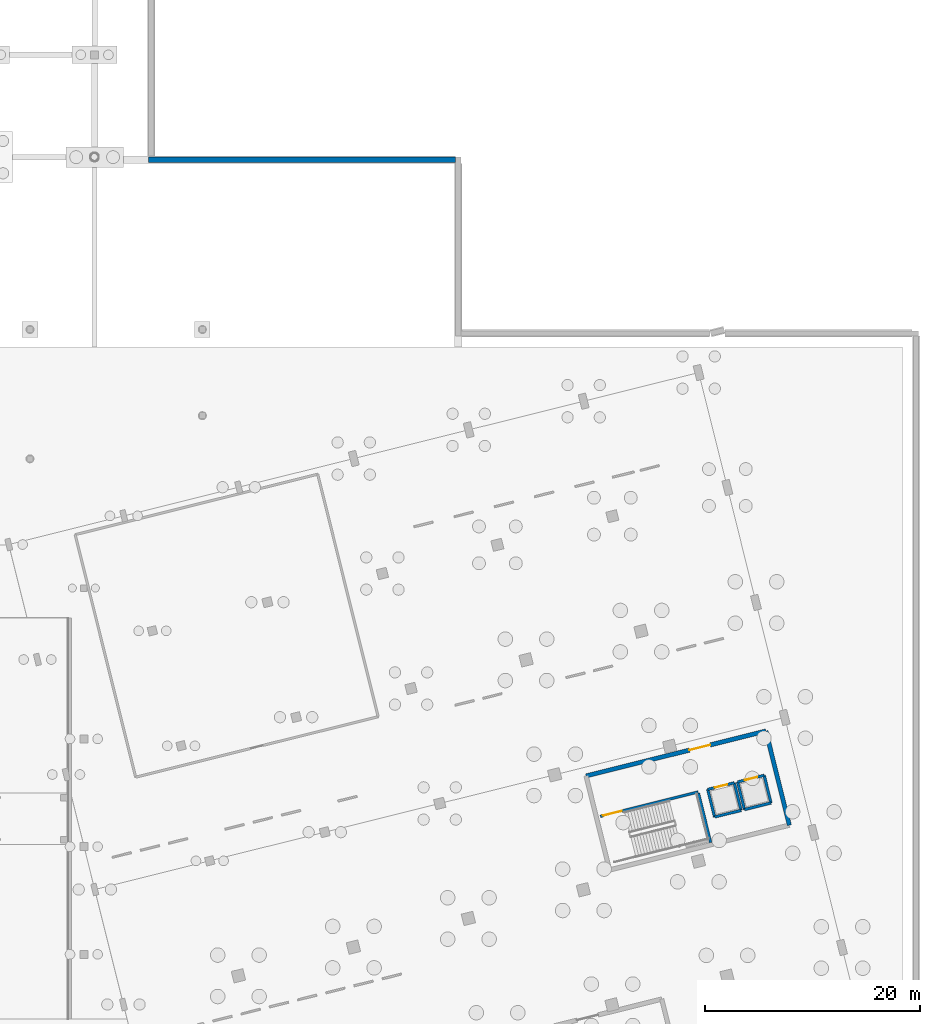
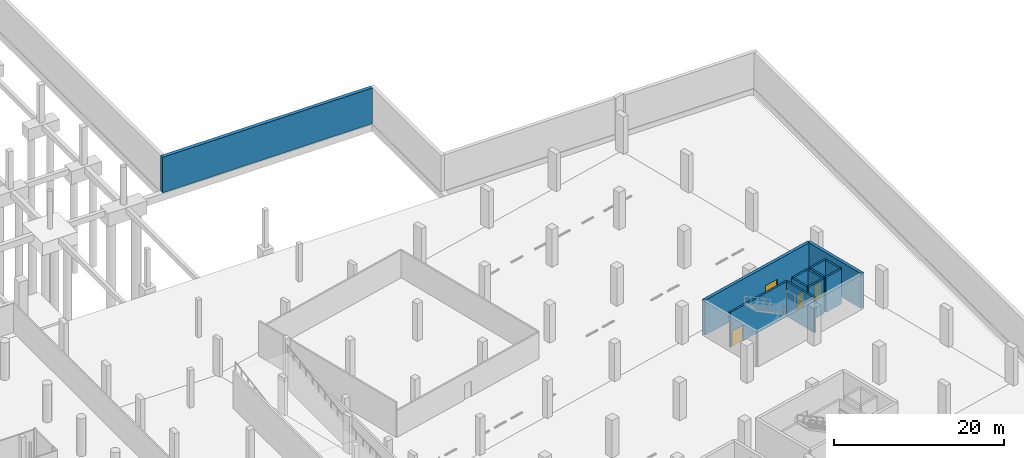
# One storey, part 55 of 65: 13 walls, 4 doors, 4 openings.
"""IFC4 building model written with IfcOpenShell, lengths in metres."""

from ifc_helpers import new_model, si_unit, direction, frame, frame_2d, origin, place, context, subcontext, project, spatial, rectangle, extrude, material, layer, layer_set, type_object, element, fill, save


model = new_model("IFC4")

# Units and contexts
model_context = context("Model", 3, precision=1e-05, world=origin(), true_north=direction((0.0, 1.0)))
body_context = subcontext(model_context, "Body", "Model", "MODEL_VIEW")
ifc_project = project(units=[si_unit("LENGTHUNIT", "METRE"), si_unit("AREAUNIT", "SQUARE_METRE"), si_unit("VOLUMEUNIT", "CUBIC_METRE"), si_unit("PLANEANGLEUNIT", "RADIAN"), si_unit("MASSUNIT", "GRAM", prefix="KILO")], contexts=[model_context])

# Site, building, storey
site_placement = place(None, origin())
site = spatial("IfcSite", under=ifc_project, at=site_placement, CompositionType="ELEMENT")
building_placement = place(site_placement, origin())
building = spatial("IfcBuilding", under=site, at=building_placement, Name="Khorjan Park Terminus", CompositionType="ELEMENT")
storey_placement = place(building_placement, frame((0.0, 0.0, -5.4)))
storey = spatial("IfcBuildingStorey", under=building, at=storey_placement, Name="B1", CompositionType="ELEMENT", Elevation=-5.4)

# Wall
ifc_material_1 = material(Name="Concrete C50/60", Category="concrete")
ifc_layer_1 = layer(ifc_material_1, 0.4)
ifc_layer_set_1 = layer_set([ifc_layer_1], Name="Concrete C50/60")
wall_type_1 = type_object("IfcWallType", Name="CW-40", PredefinedType="SHEAR", material=ifc_layer_set_1)
wall_1_placement = place(storey_placement, frame((222.4864, 39.9939, 0.0), z_axis=(0.0, 0.0, 1.0), x_axis=(-0.241923808098, 0.970295249435, 0.0)))
element("IfcWall", 1, at=wall_1_placement, inside=storey, type_object=wall_type_1, Name="Operations North-East Firefighting Core concrete shear wall CW-40 (B1-E2)", PredefinedType="SHEAR", context=body_context, shape_type="SweptSolid", body=[
    extrude(rectangle(XDim=8.9999, YDim=0.4, at=frame_2d((4.5, 0.0))), origin(), (0.0, 0.0, 1.0), 5.02),
])

# Wall, opening, door
wall_2_placement = place(storey_placement, frame((220.3091, 48.7265, 0.0), z_axis=(0.0, 0.0, 1.0), x_axis=(-0.970296544738, -0.241918612906, 0.0)))
wall_2 = element("IfcWall", 2, at=wall_2_placement, inside=storey, type_object=wall_type_1, Name="Operations North-East Firefighting Core concrete shear wall CW-40 (B1-E3)", PredefinedType="SHEAR", context=body_context, shape_type="SweptSolid", body=[
    extrude(rectangle(XDim=17.2, YDim=0.4, at=frame_2d((8.6, 0.0))), origin(), (0.0, 0.0, 1.0), 5.02),
])
opening_1_placement = place(wall_2_placement, frame((5.32, 0.0, 0.0)))
opening_1 = element("IfcOpeningElement", 3, at=opening_1_placement, cuts=wall_2, Name="Opening FD-20", PredefinedType="OPENING", context=body_context, shape_type="SweptSolid", body=[
    extrude(rectangle(XDim=2.0, YDim=2.3, at=frame_2d((1.0, 1.15))), frame((0.0, 0.21, 0.0), z_axis=(0.0, -1.0, 0.0), x_axis=(1.0, 0.0, 0.0)), (0.0, 0.0, 1.0), 0.42),
])
ifc_material_2 = material(Name="Fire-Rated Steel Double Door", Category="steel")
door_type_1 = type_object("IfcDoorType", Name="FD-20", OperationType="NOTDEFINED", PredefinedType="DOOR", material=ifc_material_2)
door_1_placement = place(opening_1_placement, origin())
door_1 = element("IfcDoor", 4, at=door_1_placement, inside=storey, type_object=door_type_1, Name="Operations North-East Firefighting Core fire-rated exit door FD-20 (B1)", OperationType="DOUBLE_DOOR_SINGLE_SWING", OverallHeight=2.3, OverallWidth=2.0, PredefinedType="DOOR", context=body_context, shape_type="SweptSolid", body=[
    extrude(rectangle(XDim=2.0, YDim=2.3, at=frame_2d((1.0, 1.15))), frame((0.0, 0.025, 0.0), z_axis=(0.0, -1.0, 0.0), x_axis=(1.0, 0.0, 0.0)), (0.0, 0.0, 1.0), 0.05),
])
fill(opening_1, door_1)

# Walls
ifc_material_3 = material(Name="Concrete C40/50", Category="concrete")
ifc_layer_2 = layer(ifc_material_3, 0.48)
ifc_layer_set_2 = layer_set([ifc_layer_2], Name="Concrete C40/50")
wall_type_2 = type_object("IfcWallType", Name="RW-48", PredefinedType="SOLIDWALL", material=ifc_layer_set_2)
wall_3_placement = place(storey_placement, frame((163.02, 101.76, 0.0), z_axis=(0.0, 0.0, 1.0), x_axis=(1.0, 0.0, 0.0)))
element("IfcWall", 5, at=wall_3_placement, inside=storey, type_object=wall_type_2, Name="Perimeter substructure concrete retaining wall RW-48 (51)", PredefinedType="SOLIDWALL", context=body_context, shape_type="SweptSolid", body=[
    extrude(rectangle(XDim=28.5, YDim=0.48, at=frame_2d((14.25, 0.0))), origin(), (0.0, 0.0, 1.0), 5.12),
])
ifc_layer_3 = layer(ifc_material_3, 0.25)
ifc_layer_set_3 = layer_set([ifc_layer_3], Name="Concrete C40/50")
wall_type_3 = type_object("IfcWallType", Name="SW-25", PredefinedType="SOLIDWALL", material=ifc_layer_set_3)
wall_4_placement = place(storey_placement, frame((215.548, 40.7477, 0.0), z_axis=(0.0, 0.0, 1.0), x_axis=(0.97029284861, 0.241933436994, 0.0)))
element("IfcWall", 6, at=wall_4_placement, inside=storey, type_object=wall_type_3, Name="Lift L07 concrete shaft wall SW-25 (B1-1)", PredefinedType="SOLIDWALL", context=body_context, shape_type="SweptSolid", body=[
    extrude(rectangle(XDim=2.54, YDim=0.25, at=frame_2d((1.27, 0.0))), origin(), (0.0, 0.0, 1.0), 5.02),
])
wall_5_placement = place(storey_placement, frame((218.0125, 41.3622, 0.0), z_axis=(0.0, 0.0, 1.0), x_axis=(-0.241938414856, 0.970291607413, 0.0)))
element("IfcWall", 7, at=wall_5_placement, inside=storey, type_object=wall_type_3, Name="Lift L07 concrete shaft wall SW-25 (B1-2)", PredefinedType="SOLIDWALL", context=body_context, shape_type="SweptSolid", body=[
    extrude(rectangle(XDim=2.6399, YDim=0.25, at=frame_2d((1.3199, 0.0))), origin(), (0.0, 0.0, 1.0), 5.02),
])

# Wall, opening, door
wall_6_placement = place(storey_placement, frame((217.3738, 43.9237, 0.0), z_axis=(0.0, 0.0, 1.0), x_axis=(-0.97029284861, -0.241933436994, 0.0)))
wall_6 = element("IfcWall", 8, at=wall_6_placement, inside=storey, type_object=wall_type_3, Name="Lift L07 concrete shaft wall SW-25 (B1-3)", PredefinedType="SOLIDWALL", context=body_context, shape_type="SweptSolid", body=[
    extrude(rectangle(XDim=2.54, YDim=0.25, at=frame_2d((1.27, 0.0))), origin(), (0.0, 0.0, 1.0), 5.02),
])
opening_2_placement = place(wall_6_placement, frame((0.67, 0.0, 0.0)))
opening_2 = element("IfcOpeningElement", 9, at=opening_2_placement, cuts=wall_6, Name="Opening LD-12", PredefinedType="OPENING", context=body_context, shape_type="SweptSolid", body=[
    extrude(rectangle(XDim=1.2, YDim=2.2, at=frame_2d((0.6, 1.1))), frame((0.0, 0.135, 0.0), z_axis=(0.0, -1.0, 0.0), x_axis=(1.0, 0.0, 0.0)), (0.0, 0.0, 1.0), 0.27),
])
ifc_material_4 = material(Name="Stainless-Steel Lift Landing Sliding Door", Category="steel")
door_type_2 = type_object("IfcDoorType", Name="LD-12", OperationType="NOTDEFINED", PredefinedType="DOOR", material=ifc_material_4)
door_2_placement = place(opening_2_placement, origin())
door_2 = element("IfcDoor", 10, at=door_2_placement, inside=storey, type_object=door_type_2, Name="Lift L07 sliding landing door LD-12 (B1)", OperationType="SLIDING_TO_LEFT", OverallHeight=2.2, OverallWidth=1.2, PredefinedType="DOOR", context=body_context, shape_type="SweptSolid", body=[
    extrude(rectangle(XDim=1.2, YDim=2.2, at=frame_2d((0.6, 1.1))), frame((0.0, 0.025, 0.0), z_axis=(0.0, -1.0, 0.0), x_axis=(1.0, 0.0, 0.0)), (0.0, 0.0, 1.0), 0.05),
])
fill(opening_2, door_2)

# Walls
wall_7_placement = place(storey_placement, frame((214.9093, 43.3092, 0.0), z_axis=(0.0, 0.0, 1.0), x_axis=(0.241938414856, -0.970291607413, 0.0)))
element("IfcWall", 11, at=wall_7_placement, inside=storey, type_object=wall_type_3, Name="Lift L07 concrete shaft wall SW-25 (B1-4)", PredefinedType="SOLIDWALL", context=body_context, shape_type="SweptSolid", body=[
    extrude(rectangle(XDim=2.6399, YDim=0.25, at=frame_2d((1.3199, 0.0))), origin(), (0.0, 0.0, 1.0), 5.02),
])
wall_8_placement = place(storey_placement, frame((218.323, 41.4396, 0.0), z_axis=(0.0, 0.0, 1.0), x_axis=(0.97029284861, 0.241933436994, 0.0)))
element("IfcWall", 12, at=wall_8_placement, inside=storey, type_object=wall_type_3, Name="Lift L08 concrete shaft wall SW-25 (B1-1)", PredefinedType="SOLIDWALL", context=body_context, shape_type="SweptSolid", body=[
    extrude(rectangle(XDim=2.54, YDim=0.25, at=frame_2d((1.27, 0.0))), origin(), (0.0, 0.0, 1.0), 5.02),
])
wall_9_placement = place(storey_placement, frame((220.7875, 42.0541, 0.0), z_axis=(0.0, 0.0, 1.0), x_axis=(-0.241938414856, 0.970291607413, 0.0)))
element("IfcWall", 13, at=wall_9_placement, inside=storey, type_object=wall_type_3, Name="Lift L08 concrete shaft wall SW-25 (B1-2)", PredefinedType="SOLIDWALL", context=body_context, shape_type="SweptSolid", body=[
    extrude(rectangle(XDim=2.6399, YDim=0.25, at=frame_2d((1.3199, 0.0))), origin(), (0.0, 0.0, 1.0), 5.02),
])

# Wall, opening, door
wall_10_placement = place(storey_placement, frame((220.1488, 44.6156, 0.0), z_axis=(0.0, 0.0, 1.0), x_axis=(-0.97029284861, -0.241933436994, 0.0)))
wall_10 = element("IfcWall", 14, at=wall_10_placement, inside=storey, type_object=wall_type_3, Name="Lift L08 concrete shaft wall SW-25 (B1-3)", PredefinedType="SOLIDWALL", context=body_context, shape_type="SweptSolid", body=[
    extrude(rectangle(XDim=2.54, YDim=0.25, at=frame_2d((1.27, 0.0))), origin(), (0.0, 0.0, 1.0), 5.02),
])
opening_3_placement = place(wall_10_placement, frame((0.67, 0.0, 0.0)))
opening_3 = element("IfcOpeningElement", 15, at=opening_3_placement, cuts=wall_10, Name="Opening LD-12", PredefinedType="OPENING", context=body_context, shape_type="SweptSolid", body=[
    extrude(rectangle(XDim=1.2, YDim=2.2, at=frame_2d((0.6, 1.1))), frame((0.0, 0.135, 0.0), z_axis=(0.0, -1.0, 0.0), x_axis=(1.0, 0.0, 0.0)), (0.0, 0.0, 1.0), 0.27),
])
door_3_placement = place(opening_3_placement, origin())
door_3 = element("IfcDoor", 16, at=door_3_placement, inside=storey, type_object=door_type_2, Name="Lift L08 sliding landing door LD-12 (B1)", OperationType="SLIDING_TO_RIGHT", OverallHeight=2.2, OverallWidth=1.2, PredefinedType="DOOR", context=body_context, shape_type="SweptSolid", body=[
    extrude(rectangle(XDim=1.2, YDim=2.2, at=frame_2d((0.6, 1.1))), frame((0.0, 0.025, 0.0), z_axis=(0.0, -1.0, 0.0), x_axis=(1.0, 0.0, 0.0)), (0.0, 0.0, 1.0), 0.05),
])
fill(opening_3, door_3)

# Wall
wall_11_placement = place(storey_placement, frame((217.6843, 44.0011, 0.0), z_axis=(0.0, 0.0, 1.0), x_axis=(0.241938414856, -0.970291607413, 0.0)))
element("IfcWall", 17, at=wall_11_placement, inside=storey, type_object=wall_type_3, Name="Lift L08 concrete shaft wall SW-25 (B1-4)", PredefinedType="SOLIDWALL", context=body_context, shape_type="SweptSolid", body=[
    extrude(rectangle(XDim=2.6399, YDim=0.25, at=frame_2d((1.3199, 0.0))), origin(), (0.0, 0.0, 1.0), 5.02),
])

# Wall, opening, door
wall_12_placement = place(storey_placement, frame((204.9479, 40.8102, 0.0), z_axis=(0.0, 0.0, 1.0), x_axis=(0.970297151331, 0.241916179943, 0.0)))
wall_12 = element("IfcWall", 18, at=wall_12_placement, inside=storey, type_object=wall_type_3, Name="Operations North-East Firefighting Core structural stairwell wall SW-25 (B1)", PredefinedType="SOLIDWALL", context=body_context, shape_type="SweptSolid", body=[
    extrude(rectangle(XDim=9.345, YDim=0.25, at=frame_2d((4.6725, 0.0))), origin(), (0.0, 0.0, 1.0), 5.02),
])
opening_4_placement = place(wall_12_placement, frame((0.25, 0.0, 0.0)))
opening_4 = element("IfcOpeningElement", 19, at=opening_4_placement, cuts=wall_12, Name="Opening FD-18", PredefinedType="OPENING", context=body_context, shape_type="SweptSolid", body=[
    extrude(rectangle(XDim=1.8, YDim=2.25, at=frame_2d((0.9, 1.125))), frame((0.0, 0.135, 0.0), z_axis=(0.0, -1.0, 0.0), x_axis=(1.0, 0.0, 0.0)), (0.0, 0.0, 1.0), 0.27),
])
door_type_3 = type_object("IfcDoorType", Name="FD-18", OperationType="NOTDEFINED", PredefinedType="DOOR", material=ifc_material_2)
door_4_placement = place(opening_4_placement, origin())
door_4 = element("IfcDoor", 20, at=door_4_placement, inside=storey, type_object=door_type_3, Name="Operations North-East Firefighting Core stairwell fire door FD-18 (B1)", OperationType="DOUBLE_DOOR_SINGLE_SWING", OverallHeight=2.25, OverallWidth=1.8, PredefinedType="DOOR", context=body_context, shape_type="SweptSolid", body=[
    extrude(rectangle(XDim=1.8, YDim=2.25, at=frame_2d((0.9, 1.125))), frame((0.0, 0.025, 0.0), z_axis=(0.0, -1.0, 0.0), x_axis=(1.0, 0.0, 0.0)), (0.0, 0.0, 1.0), 0.05),
])
fill(opening_4, door_4)

# Wall
wall_13_placement = place(storey_placement, frame((215.185, 38.3795, 0.0), z_axis=(0.0, 0.0, 1.0), x_axis=(-0.241911120435, 0.970298412763, 0.0)))
element("IfcWall", 21, at=wall_13_placement, inside=storey, type_object=wall_type_3, Name="Operations North-East Firefighting Core stairwell end bearing wall SW-25 (B1)", PredefinedType="SOLIDWALL", context=body_context, shape_type="SweptSolid", body=[
    extrude(rectangle(XDim=4.71, YDim=0.25, at=frame_2d((2.355, 0.0))), origin(), (0.0, 0.0, 1.0), 5.02),
])

save(model, "model.ifc")
